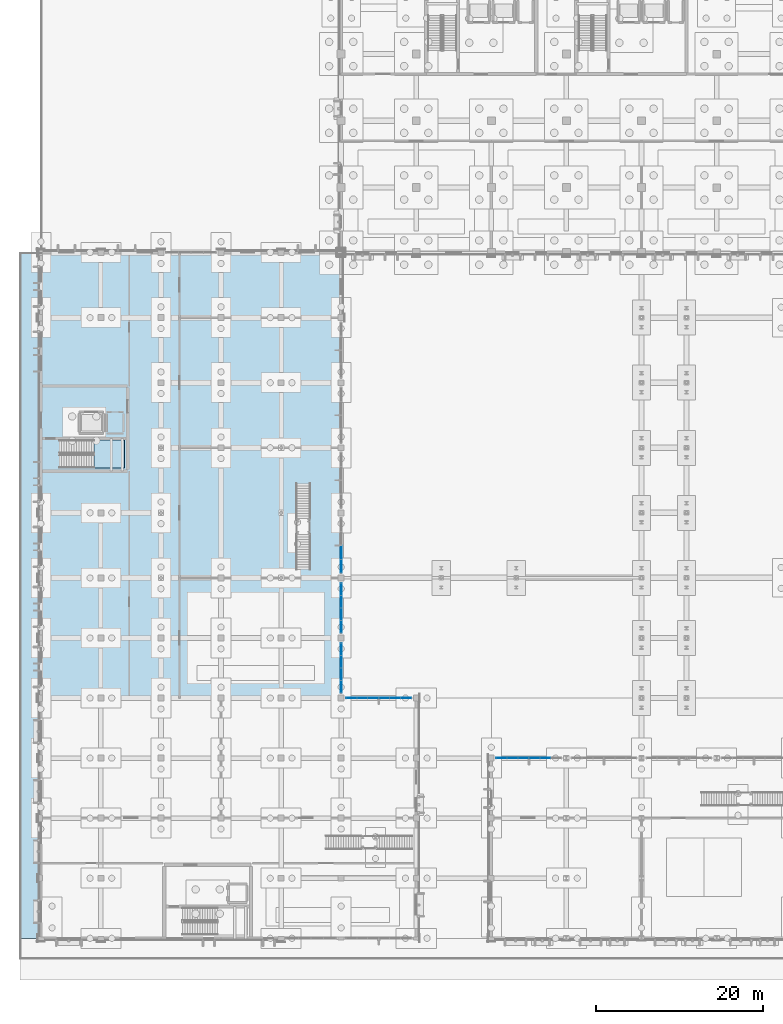
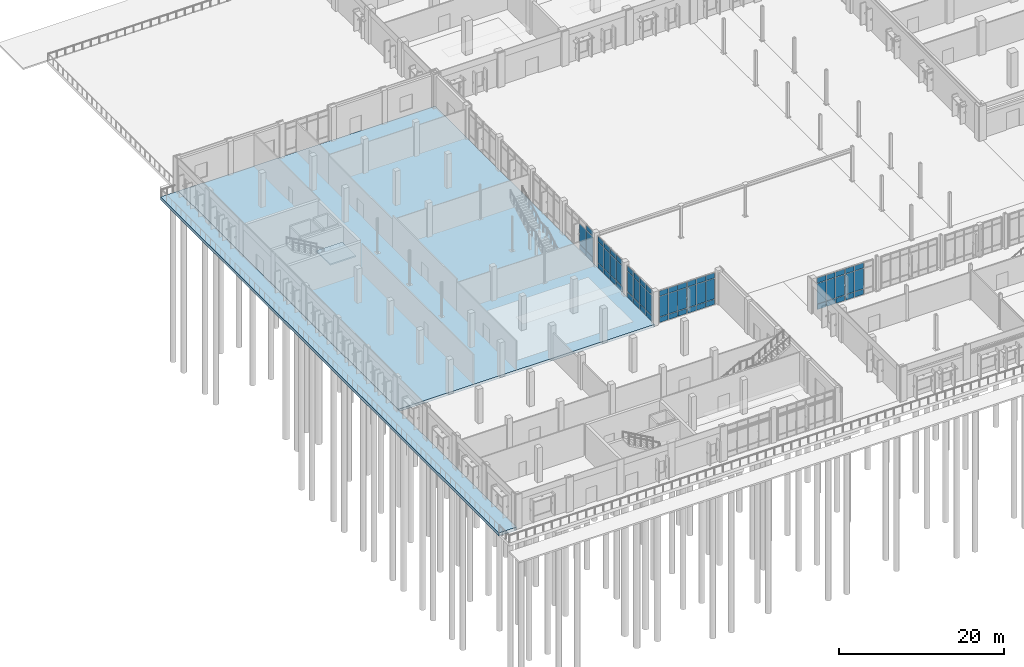
# One storey, part 50 of 94: 62 plates, 3 slabs, 8 elements without a shape of their own.
"""IFC4 building model written with IfcOpenShell, lengths in metres."""

from ifc_helpers import new_model, si_unit, direction, frame, origin, origin_2d, place, context, subcontext, project, spatial, polyline, rectangle, outline, extrude, material, layer, layer_set, type_object, element, aggregate, save


model = new_model("IFC4")

# Units and contexts
model_context = context("Model", 3, precision=1e-05, world=origin(), true_north=direction((0.0, 1.0)))
body_context = subcontext(model_context, "Body", "Model", "MODEL_VIEW")
ifc_project = project(units=[si_unit("LENGTHUNIT", "METRE"), si_unit("AREAUNIT", "SQUARE_METRE"), si_unit("VOLUMEUNIT", "CUBIC_METRE"), si_unit("PLANEANGLEUNIT", "RADIAN"), si_unit("MASSUNIT", "GRAM", prefix="KILO")], contexts=[model_context])

# Site, building, storey
site_placement = place(None, origin())
site = spatial("IfcSite", under=ifc_project, at=site_placement, CompositionType="ELEMENT")
building_placement = place(site_placement, origin())
building = spatial("IfcBuilding", under=site, at=building_placement, Name="Vervanel Yard Central Library", CompositionType="ELEMENT")
storey_placement = place(building_placement, origin())
storey = spatial("IfcBuildingStorey", under=building, at=storey_placement, Name="L00", CompositionType="ELEMENT", Elevation=0.0)

# Slab
ifc_material_1 = material(Name="Concrete C40/50", Category="concrete")
ifc_layer_1 = layer(ifc_material_1, 0.3798828125, Category="concrete")
ifc_layer_set_1 = layer_set([ifc_layer_1], Name="Concrete C40/50")
slab_type_1 = type_object("IfcSlabType", Name="Atrium Plinth Base Slab 380", PredefinedType="BASESLAB", material=ifc_layer_set_1)
slab_1_placement = place(storey_placement, frame((0.0, 0.0, -0.3798828125)))
element("IfcSlab", 1, at=slab_1_placement, inside=storey, type_object=slab_type_1, Name="L00 V2 Atrium Plinth Base Slab 380", PredefinedType="BASESLAB", context=body_context, shape_type="SweptSolid", body=[
    extrude(outline(polyline([(0.0, 28.800048828125), (36.0, 28.800048828125), (36.0, 82.199951171875), (0.0, 82.199951171875), (0.0, 28.800048828125)])), origin(), (0.0, 0.0, 1.0), 0.3798828125),
])

# Stair, slab
stair_type = type_object("IfcStairType", Name="Protected Core Dog-Leg Stair ST-03", PredefinedType="HALF_TURN_STAIR", material=ifc_material_1)
stair_placement = place(storey_placement, origin())
stair = element("IfcStair", 2, at=stair_placement, inside=storey, type_object=stair_type, Name="L00 CORE-C Protected Exit Stair", PredefinedType="HALF_TURN_STAIR")
ifc_layer_2 = layer(ifc_material_1, 0.199951171875, Category="concrete")
ifc_layer_set_2 = layer_set([ifc_layer_2], Name="Concrete C40/50")
slab_type_2 = type_object("IfcSlabType", Name="Core Stair Concrete Landing Slab 200", PredefinedType="LANDING", material=ifc_layer_set_2)
slab_2_placement = place(storey_placement, frame((0.0, 0.0, 2.35009765625)))
slab_2 = element("IfcSlab", 3, at=slab_2_placement, type_object=slab_type_2, Name="ST-03 landing 1", PredefinedType="LANDING", context=body_context, shape_type="SweptSolid", body=[
    extrude(outline(polyline([(6.39990234375, 56.39990234375), (10.0, 56.39990234375), (10.0, 59.719970703125), (6.39990234375, 59.719970703125), (6.39990234375, 56.39990234375)])), origin(), (0.0, 0.0, 1.0), 0.199951171875),
])
aggregate(stair, [slab_2])

# Curtain wall, plates
ifc_material_2 = material(Name="Thermally broken anodized aluminium 6063-T6", Category="aluminium")
curtain_wall_type_1 = type_object("IfcCurtainWallType", Name="Atrium Courtyard Curtain Wall", PredefinedType="NOTDEFINED", material=ifc_material_2)
curtain_wall_1_placement = place(storey_placement, origin())
curtain_wall_1 = element("IfcCurtainWall", 4, at=curtain_wall_1_placement, inside=storey, type_object=curtain_wall_type_1, Name="L00 Atrium Courtyard Curtain Wall CWR-L00-017", PredefinedType="NOTDEFINED")
ifc_material_3 = material(Name="Double low-E laminated solar-control glass", Category="glass")
ifc_layer_3 = layer(ifc_material_3, 0.030029296875, Category="glass")
ifc_layer_set_3 = layer_set([ifc_layer_3], Name="Double low-E laminated solar-control glass")
plate_type_1 = type_object("IfcPlateType", Name="Courtyard Clear Low-E Panel 30", PredefinedType="CURTAIN_PANEL", material=ifc_layer_set_3)
plate_1_placement = place(storey_placement, frame((36.0, 30.144287109375, 0.88232421875), z_axis=(0.0, 0.0, 1.0), x_axis=(0.0, 1.0, 0.0)))
plate_1 = element("IfcPlate", 5, at=plate_1_placement, type_object=plate_type_1, Name="CWR-L00-017 Panel B1-2", PredefinedType="CURTAIN_PANEL", context=body_context, shape_type="SweptSolid", body=[
    extrude(rectangle(XDim=1.438720703125, YDim=0.030029296875, at=origin_2d()), origin(), (0.0, 0.0, 1.0), 3.014892578125),
])
plate_2_placement = place(storey_placement, frame((36.0, 30.144287109375, 3.962646484375), z_axis=(0.0, 0.0, 1.0), x_axis=(0.0, 1.0, 0.0)))
plate_2 = element("IfcPlate", 6, at=plate_2_placement, type_object=plate_type_1, Name="CWR-L00-017 Panel B1-3", PredefinedType="CURTAIN_PANEL", context=body_context, shape_type="SweptSolid", body=[
    extrude(rectangle(XDim=1.438720703125, YDim=0.030029296875, at=origin_2d()), origin(), (0.0, 0.0, 1.0), 0.75244140625),
])
plate_3_placement = place(storey_placement, frame((36.0, 31.648193359375, 0.88232421875), z_axis=(0.0, 0.0, 1.0), x_axis=(0.0, 1.0, 0.0)))
plate_3 = element("IfcPlate", 7, at=plate_3_placement, type_object=plate_type_1, Name="CWR-L00-017 Panel B2-2", PredefinedType="CURTAIN_PANEL", context=body_context, shape_type="SweptSolid", body=[
    extrude(rectangle(XDim=1.438720703125, YDim=0.030029296875, at=origin_2d()), origin(), (0.0, 0.0, 1.0), 3.014892578125),
])
plate_4_placement = place(storey_placement, frame((36.0, 31.648193359375, 3.962646484375), z_axis=(0.0, 0.0, 1.0), x_axis=(0.0, 1.0, 0.0)))
plate_4 = element("IfcPlate", 8, at=plate_4_placement, type_object=plate_type_1, Name="CWR-L00-017 Panel B2-3", PredefinedType="CURTAIN_PANEL", context=body_context, shape_type="SweptSolid", body=[
    extrude(rectangle(XDim=1.438720703125, YDim=0.030029296875, at=origin_2d()), origin(), (0.0, 0.0, 1.0), 0.75244140625),
])
plate_5_placement = place(storey_placement, frame((36.0, 33.15185546875, 0.88232421875), z_axis=(0.0, 0.0, 1.0), x_axis=(0.0, 1.0, 0.0)))
plate_5 = element("IfcPlate", 9, at=plate_5_placement, type_object=plate_type_1, Name="CWR-L00-017 Panel B3-2", PredefinedType="CURTAIN_PANEL", context=body_context, shape_type="SweptSolid", body=[
    extrude(rectangle(XDim=1.438720703125, YDim=0.030029296875, at=origin_2d()), origin(), (0.0, 0.0, 1.0), 3.014892578125),
])
plate_6_placement = place(storey_placement, frame((36.0, 33.15185546875, 3.962646484375), z_axis=(0.0, 0.0, 1.0), x_axis=(0.0, 1.0, 0.0)))
plate_6 = element("IfcPlate", 10, at=plate_6_placement, type_object=plate_type_1, Name="CWR-L00-017 Panel B3-3", PredefinedType="CURTAIN_PANEL", context=body_context, shape_type="SweptSolid", body=[
    extrude(rectangle(XDim=1.438720703125, YDim=0.030029296875, at=origin_2d()), origin(), (0.0, 0.0, 1.0), 0.75244140625),
])
plate_7_placement = place(storey_placement, frame((36.0, 34.655517578125, 0.88232421875), z_axis=(0.0, 0.0, 1.0), x_axis=(0.0, 1.0, 0.0)))
plate_7 = element("IfcPlate", 11, at=plate_7_placement, type_object=plate_type_1, Name="CWR-L00-017 Panel B4-2", PredefinedType="CURTAIN_PANEL", context=body_context, shape_type="SweptSolid", body=[
    extrude(rectangle(XDim=1.438720703125, YDim=0.030029296875, at=origin_2d()), origin(), (0.0, 0.0, 1.0), 3.014892578125),
])
plate_8_placement = place(storey_placement, frame((36.0, 34.655517578125, 3.962646484375), z_axis=(0.0, 0.0, 1.0), x_axis=(0.0, 1.0, 0.0)))
plate_8 = element("IfcPlate", 12, at=plate_8_placement, type_object=plate_type_1, Name="CWR-L00-017 Panel B4-3", PredefinedType="CURTAIN_PANEL", context=body_context, shape_type="SweptSolid", body=[
    extrude(rectangle(XDim=1.438720703125, YDim=0.030029296875, at=origin_2d()), origin(), (0.0, 0.0, 1.0), 0.75244140625),
])

curtain_wall_2_placement = place(storey_placement, origin())
curtain_wall_2 = element("IfcCurtainWall", 13, at=curtain_wall_2_placement, inside=storey, type_object=curtain_wall_type_1, Name="L00 Atrium Courtyard Curtain Wall CWR-L00-018", PredefinedType="NOTDEFINED")
plate_9_placement = place(storey_placement, frame((36.0, 37.344482421875, 0.88232421875), z_axis=(0.0, 0.0, 1.0), x_axis=(0.0, 1.0, 0.0)))
plate_9 = element("IfcPlate", 14, at=plate_9_placement, type_object=plate_type_1, Name="CWR-L00-018 Panel B1-2", PredefinedType="CURTAIN_PANEL", context=body_context, shape_type="SweptSolid", body=[
    extrude(rectangle(XDim=1.438720703125, YDim=0.030029296875, at=origin_2d()), origin(), (0.0, 0.0, 1.0), 3.014892578125),
])
plate_10_placement = place(storey_placement, frame((36.0, 37.344482421875, 3.962646484375), z_axis=(0.0, 0.0, 1.0), x_axis=(0.0, 1.0, 0.0)))
plate_10 = element("IfcPlate", 15, at=plate_10_placement, type_object=plate_type_1, Name="CWR-L00-018 Panel B1-3", PredefinedType="CURTAIN_PANEL", context=body_context, shape_type="SweptSolid", body=[
    extrude(rectangle(XDim=1.438720703125, YDim=0.030029296875, at=origin_2d()), origin(), (0.0, 0.0, 1.0), 0.75244140625),
])
plate_11_placement = place(storey_placement, frame((36.0, 38.84814453125, 0.88232421875), z_axis=(0.0, 0.0, 1.0), x_axis=(0.0, 1.0, 0.0)))
plate_11 = element("IfcPlate", 16, at=plate_11_placement, type_object=plate_type_1, Name="CWR-L00-018 Panel B2-2", PredefinedType="CURTAIN_PANEL", context=body_context, shape_type="SweptSolid", body=[
    extrude(rectangle(XDim=1.438720703125, YDim=0.030029296875, at=origin_2d()), origin(), (0.0, 0.0, 1.0), 3.014892578125),
])
plate_12_placement = place(storey_placement, frame((36.0, 38.84814453125, 3.962646484375), z_axis=(0.0, 0.0, 1.0), x_axis=(0.0, 1.0, 0.0)))
plate_12 = element("IfcPlate", 17, at=plate_12_placement, type_object=plate_type_1, Name="CWR-L00-018 Panel B2-3", PredefinedType="CURTAIN_PANEL", context=body_context, shape_type="SweptSolid", body=[
    extrude(rectangle(XDim=1.438720703125, YDim=0.030029296875, at=origin_2d()), origin(), (0.0, 0.0, 1.0), 0.75244140625),
])
plate_13_placement = place(storey_placement, frame((36.0, 40.351806640625, 0.88232421875), z_axis=(0.0, 0.0, 1.0), x_axis=(0.0, 1.0, 0.0)))
plate_13 = element("IfcPlate", 18, at=plate_13_placement, type_object=plate_type_1, Name="CWR-L00-018 Panel B3-2", PredefinedType="CURTAIN_PANEL", context=body_context, shape_type="SweptSolid", body=[
    extrude(rectangle(XDim=1.438720703125, YDim=0.030029296875, at=origin_2d()), origin(), (0.0, 0.0, 1.0), 3.014892578125),
])
plate_14_placement = place(storey_placement, frame((36.0, 40.351806640625, 3.962646484375), z_axis=(0.0, 0.0, 1.0), x_axis=(0.0, 1.0, 0.0)))
plate_14 = element("IfcPlate", 19, at=plate_14_placement, type_object=plate_type_1, Name="CWR-L00-018 Panel B3-3", PredefinedType="CURTAIN_PANEL", context=body_context, shape_type="SweptSolid", body=[
    extrude(rectangle(XDim=1.438720703125, YDim=0.030029296875, at=origin_2d()), origin(), (0.0, 0.0, 1.0), 0.75244140625),
])
plate_15_placement = place(storey_placement, frame((36.0, 41.855712890625, 0.88232421875), z_axis=(0.0, 0.0, 1.0), x_axis=(0.0, 1.0, 0.0)))
plate_15 = element("IfcPlate", 20, at=plate_15_placement, type_object=plate_type_1, Name="CWR-L00-018 Panel B4-2", PredefinedType="CURTAIN_PANEL", context=body_context, shape_type="SweptSolid", body=[
    extrude(rectangle(XDim=1.438720703125, YDim=0.030029296875, at=origin_2d()), origin(), (0.0, 0.0, 1.0), 3.014892578125),
])
plate_16_placement = place(storey_placement, frame((36.0, 41.855712890625, 3.962646484375), z_axis=(0.0, 0.0, 1.0), x_axis=(0.0, 1.0, 0.0)))
plate_16 = element("IfcPlate", 21, at=plate_16_placement, type_object=plate_type_1, Name="CWR-L00-018 Panel B4-3", PredefinedType="CURTAIN_PANEL", context=body_context, shape_type="SweptSolid", body=[
    extrude(rectangle(XDim=1.438720703125, YDim=0.030029296875, at=origin_2d()), origin(), (0.0, 0.0, 1.0), 0.75244140625),
])

curtain_wall_3_placement = place(storey_placement, origin())
curtain_wall_3 = element("IfcCurtainWall", 22, at=curtain_wall_3_placement, inside=storey, type_object=curtain_wall_type_1, Name="L00 Atrium Courtyard Curtain Wall CWR-L00-019", PredefinedType="NOTDEFINED")
plate_17_placement = place(storey_placement, frame((36.0, 44.611328125, 0.88232421875), z_axis=(0.0, 0.0, 1.0), x_axis=(0.0, 1.0, 0.0)))
plate_17 = element("IfcPlate", 23, at=plate_17_placement, type_object=plate_type_1, Name="CWR-L00-019 Panel B1-2", PredefinedType="CURTAIN_PANEL", context=body_context, shape_type="SweptSolid", body=[
    extrude(rectangle(XDim=1.572509765625, YDim=0.030029296875, at=origin_2d()), origin(), (0.0, 0.0, 1.0), 3.014892578125),
])
plate_18_placement = place(storey_placement, frame((36.0, 44.611328125, 3.962646484375), z_axis=(0.0, 0.0, 1.0), x_axis=(0.0, 1.0, 0.0)))
plate_18 = element("IfcPlate", 24, at=plate_18_placement, type_object=plate_type_1, Name="CWR-L00-019 Panel B1-3", PredefinedType="CURTAIN_PANEL", context=body_context, shape_type="SweptSolid", body=[
    extrude(rectangle(XDim=1.572509765625, YDim=0.030029296875, at=origin_2d()), origin(), (0.0, 0.0, 1.0), 0.75244140625),
])
plate_19_placement = place(storey_placement, frame((36.0, 46.248779296875, 0.88232421875), z_axis=(0.0, 0.0, 1.0), x_axis=(0.0, 1.0, 0.0)))
plate_19 = element("IfcPlate", 25, at=plate_19_placement, type_object=plate_type_1, Name="CWR-L00-019 Panel B2-2", PredefinedType="CURTAIN_PANEL", context=body_context, shape_type="SweptSolid", body=[
    extrude(rectangle(XDim=1.572509765625, YDim=0.030029296875, at=origin_2d()), origin(), (0.0, 0.0, 1.0), 3.014892578125),
])

curtain_wall_type_2 = type_object("IfcCurtainWallType", Name="Children's Courtyard Curtain Wall", PredefinedType="NOTDEFINED", material=ifc_material_2)
curtain_wall_4_placement = place(storey_placement, origin())
curtain_wall_4 = element("IfcCurtainWall", 26, at=curtain_wall_4_placement, inside=storey, type_object=curtain_wall_type_2, Name="L00 Children's Courtyard Curtain Wall CWR-L00-154", PredefinedType="NOTDEFINED")
plate_20_placement = place(storey_placement, frame((55.236572265625, 21.60009765625, 0.8798828125), z_axis=(0.0, 0.0, 1.0), x_axis=(1.0, 0.0, 0.0)))
plate_20 = element("IfcPlate", 27, at=plate_20_placement, type_object=plate_type_1, Name="CWR-L00-154 Panel B1-2", PredefinedType="CURTAIN_PANEL", context=body_context, shape_type="SweptSolid", body=[
    extrude(rectangle(XDim=1.2333984375, YDim=0.030029296875, at=origin_2d()), origin(), (0.0, 0.0, 1.0), 3.02001953125),
])
plate_21_placement = place(storey_placement, frame((55.236572265625, 21.60009765625, 3.9599609375), z_axis=(0.0, 0.0, 1.0), x_axis=(1.0, 0.0, 0.0)))
plate_21 = element("IfcPlate", 28, at=plate_21_placement, type_object=plate_type_1, Name="CWR-L00-154 Panel B1-3", PredefinedType="CURTAIN_PANEL", context=body_context, shape_type="SweptSolid", body=[
    extrude(rectangle(XDim=1.2333984375, YDim=0.030029296875, at=origin_2d()), origin(), (0.0, 0.0, 1.0), 0.760009765625),
])
plate_22_placement = place(storey_placement, frame((56.530029296875, 21.60009765625, 0.8798828125), z_axis=(0.0, 0.0, 1.0), x_axis=(1.0, 0.0, 0.0)))
plate_22 = element("IfcPlate", 29, at=plate_22_placement, type_object=plate_type_1, Name="CWR-L00-154 Panel B2-2", PredefinedType="CURTAIN_PANEL", context=body_context, shape_type="SweptSolid", body=[
    extrude(rectangle(XDim=1.2333984375, YDim=0.030029296875, at=origin_2d()), origin(), (0.0, 0.0, 1.0), 3.02001953125),
])
plate_23_placement = place(storey_placement, frame((56.530029296875, 21.60009765625, 3.9599609375), z_axis=(0.0, 0.0, 1.0), x_axis=(1.0, 0.0, 0.0)))
plate_23 = element("IfcPlate", 30, at=plate_23_placement, type_object=plate_type_1, Name="CWR-L00-154 Panel B2-3", PredefinedType="CURTAIN_PANEL", context=body_context, shape_type="SweptSolid", body=[
    extrude(rectangle(XDim=1.2333984375, YDim=0.030029296875, at=origin_2d()), origin(), (0.0, 0.0, 1.0), 0.760009765625),
])
plate_24_placement = place(storey_placement, frame((57.8232421875, 21.60009765625, 0.8798828125), z_axis=(0.0, 0.0, 1.0), x_axis=(1.0, 0.0, 0.0)))
plate_24 = element("IfcPlate", 31, at=plate_24_placement, type_object=plate_type_1, Name="CWR-L00-154 Panel B3-2", PredefinedType="CURTAIN_PANEL", context=body_context, shape_type="SweptSolid", body=[
    extrude(rectangle(XDim=1.2333984375, YDim=0.030029296875, at=origin_2d()), origin(), (0.0, 0.0, 1.0), 3.02001953125),
])
plate_25_placement = place(storey_placement, frame((57.8232421875, 21.60009765625, 3.9599609375), z_axis=(0.0, 0.0, 1.0), x_axis=(1.0, 0.0, 0.0)))
plate_25 = element("IfcPlate", 32, at=plate_25_placement, type_object=plate_type_1, Name="CWR-L00-154 Panel B3-3", PredefinedType="CURTAIN_PANEL", context=body_context, shape_type="SweptSolid", body=[
    extrude(rectangle(XDim=1.2333984375, YDim=0.030029296875, at=origin_2d()), origin(), (0.0, 0.0, 1.0), 0.760009765625),
])

curtain_wall_5_placement = place(storey_placement, origin())
curtain_wall_5 = element("IfcCurtainWall", 33, at=curtain_wall_5_placement, inside=storey, type_object=curtain_wall_type_2, Name="L00 Children's Courtyard Curtain Wall CWR-L00-155", PredefinedType="NOTDEFINED")
plate_26_placement = place(storey_placement, frame((59.1767578125, 21.60009765625, 0.8798828125), z_axis=(0.0, 0.0, 1.0), x_axis=(1.0, 0.0, 0.0)))
plate_26 = element("IfcPlate", 34, at=plate_26_placement, type_object=plate_type_1, Name="CWR-L00-155 Panel B1-2", PredefinedType="CURTAIN_PANEL", context=body_context, shape_type="SweptSolid", body=[
    extrude(rectangle(XDim=1.2333984375, YDim=0.030029296875, at=origin_2d()), origin(), (0.0, 0.0, 1.0), 3.02001953125),
])
plate_27_placement = place(storey_placement, frame((59.1767578125, 21.60009765625, 3.9599609375), z_axis=(0.0, 0.0, 1.0), x_axis=(1.0, 0.0, 0.0)))
plate_27 = element("IfcPlate", 35, at=plate_27_placement, type_object=plate_type_1, Name="CWR-L00-155 Panel B1-3", PredefinedType="CURTAIN_PANEL", context=body_context, shape_type="SweptSolid", body=[
    extrude(rectangle(XDim=1.2333984375, YDim=0.030029296875, at=origin_2d()), origin(), (0.0, 0.0, 1.0), 0.760009765625),
])
plate_28_placement = place(storey_placement, frame((60.469970703125, 21.60009765625, 0.8798828125), z_axis=(0.0, 0.0, 1.0), x_axis=(1.0, 0.0, 0.0)))
plate_28 = element("IfcPlate", 36, at=plate_28_placement, type_object=plate_type_1, Name="CWR-L00-155 Panel B2-2", PredefinedType="CURTAIN_PANEL", context=body_context, shape_type="SweptSolid", body=[
    extrude(rectangle(XDim=1.2333984375, YDim=0.030029296875, at=origin_2d()), origin(), (0.0, 0.0, 1.0), 3.02001953125),
])
plate_29_placement = place(storey_placement, frame((60.469970703125, 21.60009765625, 3.9599609375), z_axis=(0.0, 0.0, 1.0), x_axis=(1.0, 0.0, 0.0)))
plate_29 = element("IfcPlate", 37, at=plate_29_placement, type_object=plate_type_1, Name="CWR-L00-155 Panel B2-3", PredefinedType="CURTAIN_PANEL", context=body_context, shape_type="SweptSolid", body=[
    extrude(rectangle(XDim=1.2333984375, YDim=0.030029296875, at=origin_2d()), origin(), (0.0, 0.0, 1.0), 0.760009765625),
])

curtain_wall_type_3 = type_object("IfcCurtainWallType", Name="Boulevard Cafe & Bridge Curtain Wall", PredefinedType="NOTDEFINED", material=ifc_material_2)
curtain_wall_6_placement = place(storey_placement, origin())
curtain_wall_6 = element("IfcCurtainWall", 38, at=curtain_wall_6_placement, inside=storey, type_object=curtain_wall_type_3, Name="L00 Boulevard Cafe & Bridge Curtain Wall CWR-L00-195", PredefinedType="NOTDEFINED")
plate_30_placement = place(storey_placement, frame((37.236572265625, 28.800048828125, 0.8798828125), z_axis=(0.0, 0.0, 1.0), x_axis=(1.0, 0.0, 0.0)))
plate_30 = element("IfcPlate", 39, at=plate_30_placement, type_object=plate_type_1, Name="CWR-L00-195 Panel B1-2", PredefinedType="CURTAIN_PANEL", context=body_context, shape_type="SweptSolid", body=[
    extrude(rectangle(XDim=1.2333984375, YDim=0.030029296875, at=origin_2d()), origin(), (0.0, 0.0, 1.0), 3.02001953125),
])
plate_31_placement = place(storey_placement, frame((37.236572265625, 28.800048828125, 3.9599609375), z_axis=(0.0, 0.0, 1.0), x_axis=(1.0, 0.0, 0.0)))
plate_31 = element("IfcPlate", 40, at=plate_31_placement, type_object=plate_type_1, Name="CWR-L00-195 Panel B1-3", PredefinedType="CURTAIN_PANEL", context=body_context, shape_type="SweptSolid", body=[
    extrude(rectangle(XDim=1.2333984375, YDim=0.030029296875, at=origin_2d()), origin(), (0.0, 0.0, 1.0), 0.760009765625),
])
plate_32_placement = place(storey_placement, frame((38.530029296875, 28.800048828125, 0.8798828125), z_axis=(0.0, 0.0, 1.0), x_axis=(1.0, 0.0, 0.0)))
plate_32 = element("IfcPlate", 41, at=plate_32_placement, type_object=plate_type_1, Name="CWR-L00-195 Panel B2-2", PredefinedType="CURTAIN_PANEL", context=body_context, shape_type="SweptSolid", body=[
    extrude(rectangle(XDim=1.2333984375, YDim=0.030029296875, at=origin_2d()), origin(), (0.0, 0.0, 1.0), 3.02001953125),
])
plate_33_placement = place(storey_placement, frame((38.530029296875, 28.800048828125, 3.9599609375), z_axis=(0.0, 0.0, 1.0), x_axis=(1.0, 0.0, 0.0)))
plate_33 = element("IfcPlate", 42, at=plate_33_placement, type_object=plate_type_1, Name="CWR-L00-195 Panel B2-3", PredefinedType="CURTAIN_PANEL", context=body_context, shape_type="SweptSolid", body=[
    extrude(rectangle(XDim=1.2333984375, YDim=0.030029296875, at=origin_2d()), origin(), (0.0, 0.0, 1.0), 0.760009765625),
])
plate_34_placement = place(storey_placement, frame((39.8232421875, 28.800048828125, 0.8798828125), z_axis=(0.0, 0.0, 1.0), x_axis=(1.0, 0.0, 0.0)))
plate_34 = element("IfcPlate", 43, at=plate_34_placement, type_object=plate_type_1, Name="CWR-L00-195 Panel B3-2", PredefinedType="CURTAIN_PANEL", context=body_context, shape_type="SweptSolid", body=[
    extrude(rectangle(XDim=1.2333984375, YDim=0.030029296875, at=origin_2d()), origin(), (0.0, 0.0, 1.0), 3.02001953125),
])
plate_35_placement = place(storey_placement, frame((39.8232421875, 28.800048828125, 3.9599609375), z_axis=(0.0, 0.0, 1.0), x_axis=(1.0, 0.0, 0.0)))
plate_35 = element("IfcPlate", 44, at=plate_35_placement, type_object=plate_type_1, Name="CWR-L00-195 Panel B3-3", PredefinedType="CURTAIN_PANEL", context=body_context, shape_type="SweptSolid", body=[
    extrude(rectangle(XDim=1.2333984375, YDim=0.030029296875, at=origin_2d()), origin(), (0.0, 0.0, 1.0), 0.760009765625),
])

curtain_wall_7_placement = place(storey_placement, origin())
curtain_wall_7 = element("IfcCurtainWall", 45, at=curtain_wall_7_placement, inside=storey, type_object=curtain_wall_type_3, Name="L00 Boulevard Cafe & Bridge Curtain Wall CWR-L00-196", PredefinedType="NOTDEFINED")
plate_36_placement = place(storey_placement, frame((41.1767578125, 28.800048828125, 0.8798828125), z_axis=(0.0, 0.0, 1.0), x_axis=(1.0, 0.0, 0.0)))
plate_36 = element("IfcPlate", 46, at=plate_36_placement, type_object=plate_type_1, Name="CWR-L00-196 Panel B1-2", PredefinedType="CURTAIN_PANEL", context=body_context, shape_type="SweptSolid", body=[
    extrude(rectangle(XDim=1.2333984375, YDim=0.030029296875, at=origin_2d()), origin(), (0.0, 0.0, 1.0), 3.02001953125),
])
plate_37_placement = place(storey_placement, frame((41.1767578125, 28.800048828125, 3.9599609375), z_axis=(0.0, 0.0, 1.0), x_axis=(1.0, 0.0, 0.0)))
plate_37 = element("IfcPlate", 47, at=plate_37_placement, type_object=plate_type_1, Name="CWR-L00-196 Panel B1-3", PredefinedType="CURTAIN_PANEL", context=body_context, shape_type="SweptSolid", body=[
    extrude(rectangle(XDim=1.2333984375, YDim=0.030029296875, at=origin_2d()), origin(), (0.0, 0.0, 1.0), 0.760009765625),
])
plate_38_placement = place(storey_placement, frame((42.469970703125, 28.800048828125, 0.8798828125), z_axis=(0.0, 0.0, 1.0), x_axis=(1.0, 0.0, 0.0)))
plate_38 = element("IfcPlate", 48, at=plate_38_placement, type_object=plate_type_1, Name="CWR-L00-196 Panel B2-2", PredefinedType="CURTAIN_PANEL", context=body_context, shape_type="SweptSolid", body=[
    extrude(rectangle(XDim=1.2333984375, YDim=0.030029296875, at=origin_2d()), origin(), (0.0, 0.0, 1.0), 3.02001953125),
])
plate_39_placement = place(storey_placement, frame((42.469970703125, 28.800048828125, 3.9599609375), z_axis=(0.0, 0.0, 1.0), x_axis=(1.0, 0.0, 0.0)))
plate_39 = element("IfcPlate", 49, at=plate_39_placement, type_object=plate_type_1, Name="CWR-L00-196 Panel B2-3", PredefinedType="CURTAIN_PANEL", context=body_context, shape_type="SweptSolid", body=[
    extrude(rectangle(XDim=1.2333984375, YDim=0.030029296875, at=origin_2d()), origin(), (0.0, 0.0, 1.0), 0.760009765625),
])
plate_40_placement = place(storey_placement, frame((43.763427734375, 28.800048828125, 0.8798828125), z_axis=(0.0, 0.0, 1.0), x_axis=(1.0, 0.0, 0.0)))
plate_40 = element("IfcPlate", 50, at=plate_40_placement, type_object=plate_type_1, Name="CWR-L00-196 Panel B3-2", PredefinedType="CURTAIN_PANEL", context=body_context, shape_type="SweptSolid", body=[
    extrude(rectangle(XDim=1.2333984375, YDim=0.030029296875, at=origin_2d()), origin(), (0.0, 0.0, 1.0), 3.02001953125),
])
plate_41_placement = place(storey_placement, frame((43.763427734375, 28.800048828125, 3.9599609375), z_axis=(0.0, 0.0, 1.0), x_axis=(1.0, 0.0, 0.0)))
plate_41 = element("IfcPlate", 51, at=plate_41_placement, type_object=plate_type_1, Name="CWR-L00-196 Panel B3-3", PredefinedType="CURTAIN_PANEL", context=body_context, shape_type="SweptSolid", body=[
    extrude(rectangle(XDim=1.2333984375, YDim=0.030029296875, at=origin_2d()), origin(), (0.0, 0.0, 1.0), 0.760009765625),
])

# Plate
ifc_material_4 = material(Name="Insulated bronze aluminium spandrel panel", Category="aluminium")
ifc_layer_4 = layer(ifc_material_4, 0.080078125, Category="aluminium")
ifc_layer_set_4 = layer_set([ifc_layer_4], Name="Insulated bronze aluminium spandrel panel")
plate_type_2 = type_object("IfcPlateType", Name="Insulated Bronze Spandrel Panel 80", PredefinedType="CURTAIN_PANEL", material=ifc_layer_set_4)
plate_42_placement = place(storey_placement, frame((36.0, 30.144287109375, 0.06494140625), z_axis=(0.0, 0.0, 1.0), x_axis=(0.0, 1.0, 0.0)))
plate_42 = element("IfcPlate", 52, at=plate_42_placement, type_object=plate_type_2, Name="CWR-L00-017 Panel B1-1", PredefinedType="CURTAIN_PANEL", context=body_context, shape_type="SweptSolid", body=[
    extrude(rectangle(XDim=1.438720703125, YDim=0.080078125, at=origin_2d()), origin(), (0.0, 0.0, 1.0), 0.75244140625),
])

plate_43_placement = place(storey_placement, frame((36.0, 31.648193359375, 0.06494140625), z_axis=(0.0, 0.0, 1.0), x_axis=(0.0, 1.0, 0.0)))
plate_43 = element("IfcPlate", 53, at=plate_43_placement, type_object=plate_type_2, Name="CWR-L00-017 Panel B2-1", PredefinedType="CURTAIN_PANEL", context=body_context, shape_type="SweptSolid", body=[
    extrude(rectangle(XDim=1.438720703125, YDim=0.080078125, at=origin_2d()), origin(), (0.0, 0.0, 1.0), 0.75244140625),
])

plate_44_placement = place(storey_placement, frame((36.0, 33.15185546875, 0.06494140625), z_axis=(0.0, 0.0, 1.0), x_axis=(0.0, 1.0, 0.0)))
plate_44 = element("IfcPlate", 54, at=plate_44_placement, type_object=plate_type_2, Name="CWR-L00-017 Panel B3-1", PredefinedType="CURTAIN_PANEL", context=body_context, shape_type="SweptSolid", body=[
    extrude(rectangle(XDim=1.438720703125, YDim=0.080078125, at=origin_2d()), origin(), (0.0, 0.0, 1.0), 0.75244140625),
])

plate_45_placement = place(storey_placement, frame((36.0, 34.655517578125, 0.06494140625), z_axis=(0.0, 0.0, 1.0), x_axis=(0.0, 1.0, 0.0)))
plate_45 = element("IfcPlate", 55, at=plate_45_placement, type_object=plate_type_2, Name="CWR-L00-017 Panel B4-1", PredefinedType="CURTAIN_PANEL", context=body_context, shape_type="SweptSolid", body=[
    extrude(rectangle(XDim=1.438720703125, YDim=0.080078125, at=origin_2d()), origin(), (0.0, 0.0, 1.0), 0.75244140625),
])

aggregate(curtain_wall_1, [plate_42, plate_1, plate_2, plate_43, plate_3, plate_4, plate_44, plate_5, plate_6, plate_45, plate_7, plate_8])

plate_46_placement = place(storey_placement, frame((36.0, 37.344482421875, 0.06494140625), z_axis=(0.0, 0.0, 1.0), x_axis=(0.0, 1.0, 0.0)))
plate_46 = element("IfcPlate", 56, at=plate_46_placement, type_object=plate_type_2, Name="CWR-L00-018 Panel B1-1", PredefinedType="CURTAIN_PANEL", context=body_context, shape_type="SweptSolid", body=[
    extrude(rectangle(XDim=1.438720703125, YDim=0.080078125, at=origin_2d()), origin(), (0.0, 0.0, 1.0), 0.75244140625),
])

plate_47_placement = place(storey_placement, frame((36.0, 38.84814453125, 0.06494140625), z_axis=(0.0, 0.0, 1.0), x_axis=(0.0, 1.0, 0.0)))
plate_47 = element("IfcPlate", 57, at=plate_47_placement, type_object=plate_type_2, Name="CWR-L00-018 Panel B2-1", PredefinedType="CURTAIN_PANEL", context=body_context, shape_type="SweptSolid", body=[
    extrude(rectangle(XDim=1.438720703125, YDim=0.080078125, at=origin_2d()), origin(), (0.0, 0.0, 1.0), 0.75244140625),
])

plate_48_placement = place(storey_placement, frame((36.0, 40.351806640625, 0.06494140625), z_axis=(0.0, 0.0, 1.0), x_axis=(0.0, 1.0, 0.0)))
plate_48 = element("IfcPlate", 58, at=plate_48_placement, type_object=plate_type_2, Name="CWR-L00-018 Panel B3-1", PredefinedType="CURTAIN_PANEL", context=body_context, shape_type="SweptSolid", body=[
    extrude(rectangle(XDim=1.438720703125, YDim=0.080078125, at=origin_2d()), origin(), (0.0, 0.0, 1.0), 0.75244140625),
])

plate_49_placement = place(storey_placement, frame((36.0, 41.855712890625, 0.06494140625), z_axis=(0.0, 0.0, 1.0), x_axis=(0.0, 1.0, 0.0)))
plate_49 = element("IfcPlate", 59, at=plate_49_placement, type_object=plate_type_2, Name="CWR-L00-018 Panel B4-1", PredefinedType="CURTAIN_PANEL", context=body_context, shape_type="SweptSolid", body=[
    extrude(rectangle(XDim=1.438720703125, YDim=0.080078125, at=origin_2d()), origin(), (0.0, 0.0, 1.0), 0.75244140625),
])

aggregate(curtain_wall_2, [plate_46, plate_9, plate_10, plate_47, plate_11, plate_12, plate_48, plate_13, plate_14, plate_49, plate_15, plate_16])

plate_50_placement = place(storey_placement, frame((36.0, 44.611328125, 0.06494140625), z_axis=(0.0, 0.0, 1.0), x_axis=(0.0, 1.0, 0.0)))
plate_50 = element("IfcPlate", 60, at=plate_50_placement, type_object=plate_type_2, Name="CWR-L00-019 Panel B1-1", PredefinedType="CURTAIN_PANEL", context=body_context, shape_type="SweptSolid", body=[
    extrude(rectangle(XDim=1.572509765625, YDim=0.080078125, at=origin_2d()), origin(), (0.0, 0.0, 1.0), 0.75244140625),
])

plate_51_placement = place(storey_placement, frame((36.0, 46.248779296875, 0.06494140625), z_axis=(0.0, 0.0, 1.0), x_axis=(0.0, 1.0, 0.0)))
plate_51 = element("IfcPlate", 61, at=plate_51_placement, type_object=plate_type_2, Name="CWR-L00-019 Panel B2-1", PredefinedType="CURTAIN_PANEL", context=body_context, shape_type="SweptSolid", body=[
    extrude(rectangle(XDim=1.572509765625, YDim=0.080078125, at=origin_2d()), origin(), (0.0, 0.0, 1.0), 0.75244140625),
])

aggregate(curtain_wall_3, [plate_50, plate_17, plate_18, plate_51, plate_19])

plate_52_placement = place(storey_placement, frame((55.236572265625, 21.60009765625, 0.06005859375), z_axis=(0.0, 0.0, 1.0), x_axis=(1.0, 0.0, 0.0)))
plate_52 = element("IfcPlate", 62, at=plate_52_placement, type_object=plate_type_2, Name="CWR-L00-154 Panel B1-1", PredefinedType="CURTAIN_PANEL", context=body_context, shape_type="SweptSolid", body=[
    extrude(rectangle(XDim=1.2333984375, YDim=0.080078125, at=origin_2d()), origin(), (0.0, 0.0, 1.0), 0.760009765625),
])

plate_53_placement = place(storey_placement, frame((56.530029296875, 21.60009765625, 0.06005859375), z_axis=(0.0, 0.0, 1.0), x_axis=(1.0, 0.0, 0.0)))
plate_53 = element("IfcPlate", 63, at=plate_53_placement, type_object=plate_type_2, Name="CWR-L00-154 Panel B2-1", PredefinedType="CURTAIN_PANEL", context=body_context, shape_type="SweptSolid", body=[
    extrude(rectangle(XDim=1.2333984375, YDim=0.080078125, at=origin_2d()), origin(), (0.0, 0.0, 1.0), 0.760009765625),
])

plate_54_placement = place(storey_placement, frame((57.8232421875, 21.60009765625, 0.06005859375), z_axis=(0.0, 0.0, 1.0), x_axis=(1.0, 0.0, 0.0)))
plate_54 = element("IfcPlate", 64, at=plate_54_placement, type_object=plate_type_2, Name="CWR-L00-154 Panel B3-1", PredefinedType="CURTAIN_PANEL", context=body_context, shape_type="SweptSolid", body=[
    extrude(rectangle(XDim=1.2333984375, YDim=0.080078125, at=origin_2d()), origin(), (0.0, 0.0, 1.0), 0.760009765625),
])

aggregate(curtain_wall_4, [plate_52, plate_20, plate_21, plate_53, plate_22, plate_23, plate_54, plate_24, plate_25])

plate_55_placement = place(storey_placement, frame((59.1767578125, 21.60009765625, 0.06005859375), z_axis=(0.0, 0.0, 1.0), x_axis=(1.0, 0.0, 0.0)))
plate_55 = element("IfcPlate", 65, at=plate_55_placement, type_object=plate_type_2, Name="CWR-L00-155 Panel B1-1", PredefinedType="CURTAIN_PANEL", context=body_context, shape_type="SweptSolid", body=[
    extrude(rectangle(XDim=1.2333984375, YDim=0.080078125, at=origin_2d()), origin(), (0.0, 0.0, 1.0), 0.760009765625),
])

plate_56_placement = place(storey_placement, frame((60.469970703125, 21.60009765625, 0.06005859375), z_axis=(0.0, 0.0, 1.0), x_axis=(1.0, 0.0, 0.0)))
plate_56 = element("IfcPlate", 66, at=plate_56_placement, type_object=plate_type_2, Name="CWR-L00-155 Panel B2-1", PredefinedType="CURTAIN_PANEL", context=body_context, shape_type="SweptSolid", body=[
    extrude(rectangle(XDim=1.2333984375, YDim=0.080078125, at=origin_2d()), origin(), (0.0, 0.0, 1.0), 0.760009765625),
])

aggregate(curtain_wall_5, [plate_55, plate_26, plate_27, plate_56, plate_28, plate_29])

plate_57_placement = place(storey_placement, frame((37.236572265625, 28.800048828125, 0.06005859375), z_axis=(0.0, 0.0, 1.0), x_axis=(1.0, 0.0, 0.0)))
plate_57 = element("IfcPlate", 67, at=plate_57_placement, type_object=plate_type_2, Name="CWR-L00-195 Panel B1-1", PredefinedType="CURTAIN_PANEL", context=body_context, shape_type="SweptSolid", body=[
    extrude(rectangle(XDim=1.2333984375, YDim=0.080078125, at=origin_2d()), origin(), (0.0, 0.0, 1.0), 0.760009765625),
])

plate_58_placement = place(storey_placement, frame((38.530029296875, 28.800048828125, 0.06005859375), z_axis=(0.0, 0.0, 1.0), x_axis=(1.0, 0.0, 0.0)))
plate_58 = element("IfcPlate", 68, at=plate_58_placement, type_object=plate_type_2, Name="CWR-L00-195 Panel B2-1", PredefinedType="CURTAIN_PANEL", context=body_context, shape_type="SweptSolid", body=[
    extrude(rectangle(XDim=1.2333984375, YDim=0.080078125, at=origin_2d()), origin(), (0.0, 0.0, 1.0), 0.760009765625),
])

plate_59_placement = place(storey_placement, frame((39.8232421875, 28.800048828125, 0.06005859375), z_axis=(0.0, 0.0, 1.0), x_axis=(1.0, 0.0, 0.0)))
plate_59 = element("IfcPlate", 69, at=plate_59_placement, type_object=plate_type_2, Name="CWR-L00-195 Panel B3-1", PredefinedType="CURTAIN_PANEL", context=body_context, shape_type="SweptSolid", body=[
    extrude(rectangle(XDim=1.2333984375, YDim=0.080078125, at=origin_2d()), origin(), (0.0, 0.0, 1.0), 0.760009765625),
])

aggregate(curtain_wall_6, [plate_57, plate_30, plate_31, plate_58, plate_32, plate_33, plate_59, plate_34, plate_35])

plate_60_placement = place(storey_placement, frame((41.1767578125, 28.800048828125, 0.06005859375), z_axis=(0.0, 0.0, 1.0), x_axis=(1.0, 0.0, 0.0)))
plate_60 = element("IfcPlate", 70, at=plate_60_placement, type_object=plate_type_2, Name="CWR-L00-196 Panel B1-1", PredefinedType="CURTAIN_PANEL", context=body_context, shape_type="SweptSolid", body=[
    extrude(rectangle(XDim=1.2333984375, YDim=0.080078125, at=origin_2d()), origin(), (0.0, 0.0, 1.0), 0.760009765625),
])

plate_61_placement = place(storey_placement, frame((42.469970703125, 28.800048828125, 0.06005859375), z_axis=(0.0, 0.0, 1.0), x_axis=(1.0, 0.0, 0.0)))
plate_61 = element("IfcPlate", 71, at=plate_61_placement, type_object=plate_type_2, Name="CWR-L00-196 Panel B2-1", PredefinedType="CURTAIN_PANEL", context=body_context, shape_type="SweptSolid", body=[
    extrude(rectangle(XDim=1.2333984375, YDim=0.080078125, at=origin_2d()), origin(), (0.0, 0.0, 1.0), 0.760009765625),
])

plate_62_placement = place(storey_placement, frame((43.763427734375, 28.800048828125, 0.06005859375), z_axis=(0.0, 0.0, 1.0), x_axis=(1.0, 0.0, 0.0)))
plate_62 = element("IfcPlate", 72, at=plate_62_placement, type_object=plate_type_2, Name="CWR-L00-196 Panel B3-1", PredefinedType="CURTAIN_PANEL", context=body_context, shape_type="SweptSolid", body=[
    extrude(rectangle(XDim=1.2333984375, YDim=0.080078125, at=origin_2d()), origin(), (0.0, 0.0, 1.0), 0.760009765625),
])

aggregate(curtain_wall_7, [plate_60, plate_36, plate_37, plate_61, plate_38, plate_39, plate_62, plate_40, plate_41])

# Slab
ifc_layer_5 = layer(ifc_material_1, 0.449951171875, Category="concrete")
ifc_layer_set_5 = layer_set([ifc_layer_5], Name="Concrete C40/50")
slab_type_3 = type_object("IfcSlabType", Name="Switchyard Plinth Deck Slab 450", PredefinedType="FLOOR", material=ifc_layer_set_5)
slab_3_placement = place(storey_placement, frame((0.0, 0.0, -0.449951171875)))
element("IfcSlab", 73, at=slab_3_placement, inside=storey, type_object=slab_type_3, Name="West Street Plinth Promenade", PredefinedType="FLOOR", context=body_context, shape_type="SweptSolid", body=[
    extrude(outline(polyline([(-2.5, 0.0), (0.0, 0.0), (0.0, 82.199951171875), (-2.5, 82.199951171875), (-2.5, 0.0)])), origin(), (0.0, 0.0, 1.0), 0.449951171875),
])

save(model, "model.ifc")
